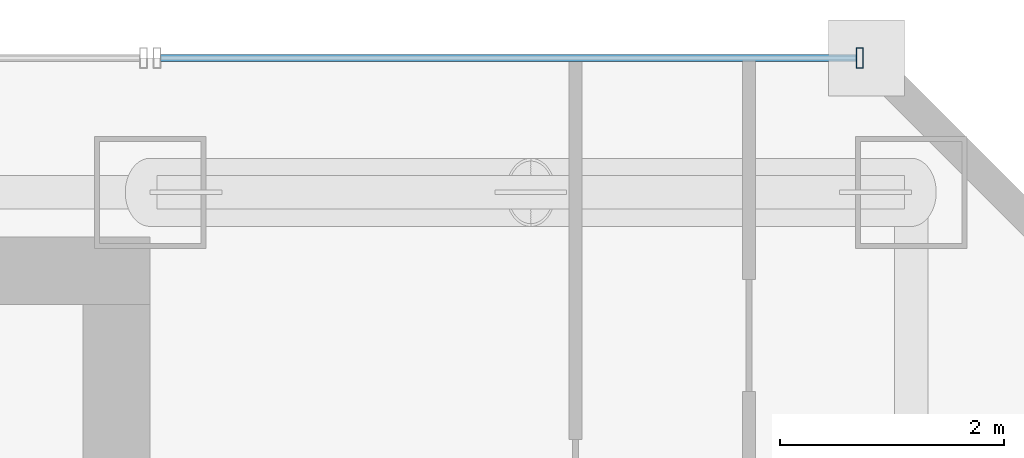
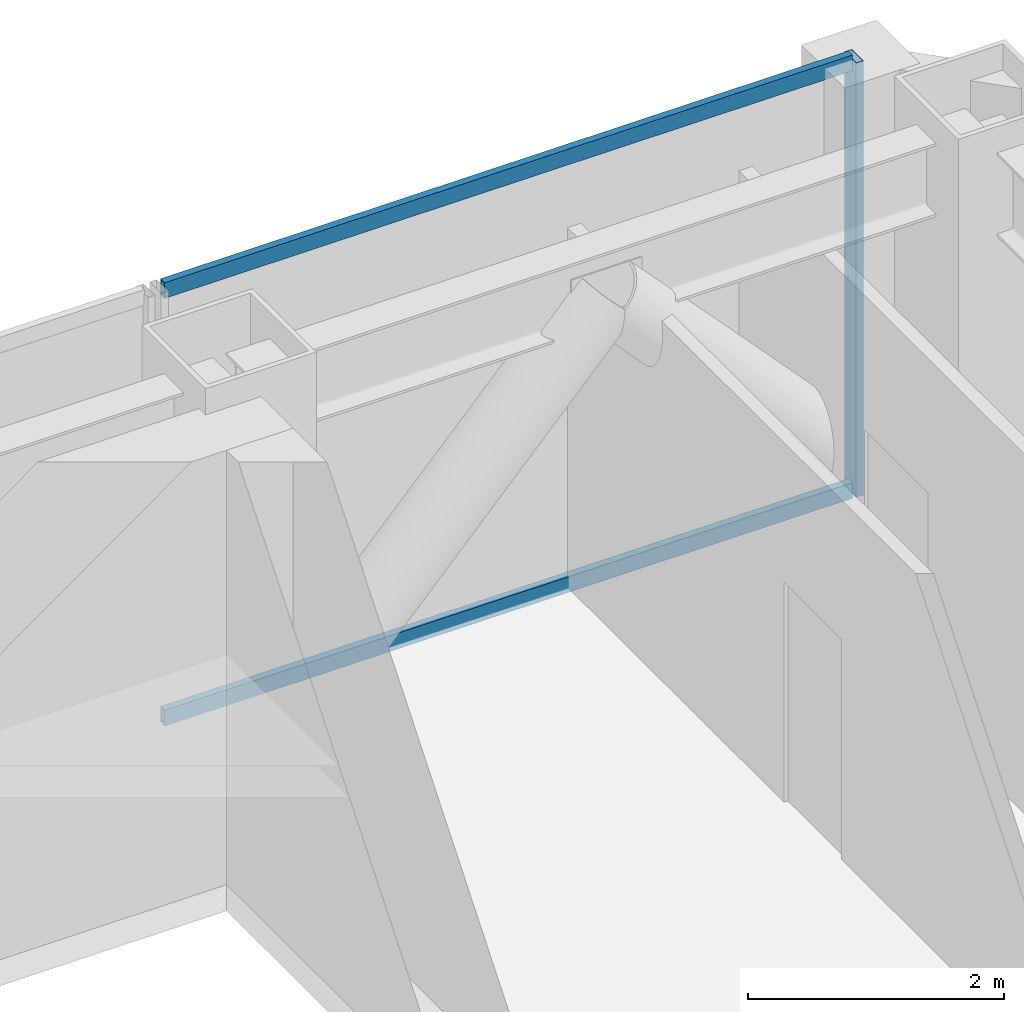
# One storey, part 29 of 37: 3 members, 1 element without a shape of its own.
"""IFC4 building model written with IfcOpenShell, lengths in metres."""

from ifc_helpers import new_model, si_unit, direction, frame, origin, origin_2d, place, context, subcontext, project, spatial, hollow_rectangle, extrude, material, material_profile, profile_set, type_object, element, aggregate, save


model = new_model("IFC4")

# Units and contexts
model_context = context("Model", 3, precision=1e-05, world=origin(), true_north=direction((0.0, 1.0)))
body_context = subcontext(model_context, "Body", "Model", "MODEL_VIEW")
ifc_project = project(units=[si_unit("LENGTHUNIT", "METRE"), si_unit("AREAUNIT", "SQUARE_METRE"), si_unit("VOLUMEUNIT", "CUBIC_METRE"), si_unit("PLANEANGLEUNIT", "RADIAN"), si_unit("MASSUNIT", "GRAM", prefix="KILO")], contexts=[model_context])

# Site, building, storey
site_placement = place(None, origin())
site = spatial("IfcSite", under=ifc_project, at=site_placement, CompositionType="ELEMENT")
building_placement = place(site_placement, origin())
building = spatial("IfcBuilding", under=site, at=building_placement, Name="Saevonmaru Cultural Tower", CompositionType="ELEMENT")
storey_placement = place(building_placement, frame((0.0, 0.0, 114.800048828125)))
storey = spatial("IfcBuildingStorey", under=building, at=storey_placement, Name="L24", CompositionType="ELEMENT", Elevation=114.800048828125)

# Curtain wall, members
ifc_material = material(Name="Satin Bronze Anodised Aluminium", Category="aluminium")
curtain_wall_type = type_object("IfcCurtainWallType", Name="CW-TYP-A", PredefinedType="NOTDEFINED", material=ifc_material)
curtain_wall_placement = place(storey_placement, origin())
curtain_wall = element("IfcCurtainWall", 1, at=curtain_wall_placement, inside=storey, type_object=curtain_wall_type, Name="L24 East Braced Bay Spandrel Curtain Wall E10A", PredefinedType="NOTDEFINED")
ifc_material_profile_1 = material_profile(ifc_material, hollow_rectangle(XDim=0.06494140625, YDim=0.179931640625, WallThickness=0.00390625, at=origin_2d()), Name="ALU-MULL-180x65x4")
ifc_profile_set_1 = profile_set([ifc_material_profile_1], Name="Satin Bronze Anodised Aluminium")
member_type_1 = type_object("IfcMemberType", Name="ML-CW-180x65", PredefinedType="MULLION", material=ifc_profile_set_1)
member_1_placement = place(storey_placement, frame((52.739990234375, 56.0, 0.0), z_axis=(0.0, 0.0, 1.0), x_axis=(-1.0, 0.0, 0.0)))
member_1 = element("IfcMember", 2, at=member_1_placement, type_object=member_type_1, Name="CW-TW-L24-E10A mullion 1", PredefinedType="MULLION", context=body_context, shape_type="SweptSolid", body=[
    extrude(hollow_rectangle(XDim=0.06494140625, YDim=0.179931640625, WallThickness=0.00390625, at=origin_2d()), origin(), (0.0, 0.0, 1.0), 4.14990234375),
])
ifc_material_profile_2 = material_profile(ifc_material, hollow_rectangle(XDim=0.06494140625, YDim=0.14990234375, WallThickness=0.00390625, at=origin_2d()), Name="ALU-TRAN-150x65x4")
ifc_profile_set_2 = profile_set([ifc_material_profile_2], Name="Satin Bronze Anodised Aluminium")
member_type_2 = type_object("IfcMemberType", Name="TR-CW-150x65", PredefinedType="USERDEFINED", material=ifc_profile_set_2)
member_2_placement = place(storey_placement, frame((52.70751953125, 56.0, 0.032470703125), z_axis=(-1.0, 0.0, 0.0), x_axis=(0.0, -1.0, 0.0)))
member_2 = element("IfcMember", 3, at=member_2_placement, type_object=member_type_2, Name="CW-TW-L24-E10A transom 1.1", ObjectType="TRANSOM", PredefinedType="USERDEFINED", context=body_context, shape_type="SweptSolid", body=[
    extrude(hollow_rectangle(XDim=0.06494140625, YDim=0.14990234375, WallThickness=0.00390625, at=origin_2d()), origin(), (0.0, 0.0, 1.0), 6.215087890625),
])
member_3_placement = place(storey_placement, frame((52.70751953125, 56.0, 4.117431640625), z_axis=(-1.0, 0.0, 0.0), x_axis=(0.0, -1.0, 0.0)))
member_3 = element("IfcMember", 4, at=member_3_placement, type_object=member_type_2, Name="CW-TW-L24-E10A transom 1.2", ObjectType="TRANSOM", PredefinedType="USERDEFINED", context=body_context, shape_type="SweptSolid", body=[
    extrude(hollow_rectangle(XDim=0.06494140625, YDim=0.14990234375, WallThickness=0.00390625, at=origin_2d()), origin(), (0.0, 0.0, 1.0), 6.215087890625),
])
aggregate(curtain_wall, [member_1, member_2, member_3])

save(model, "model.ifc")
